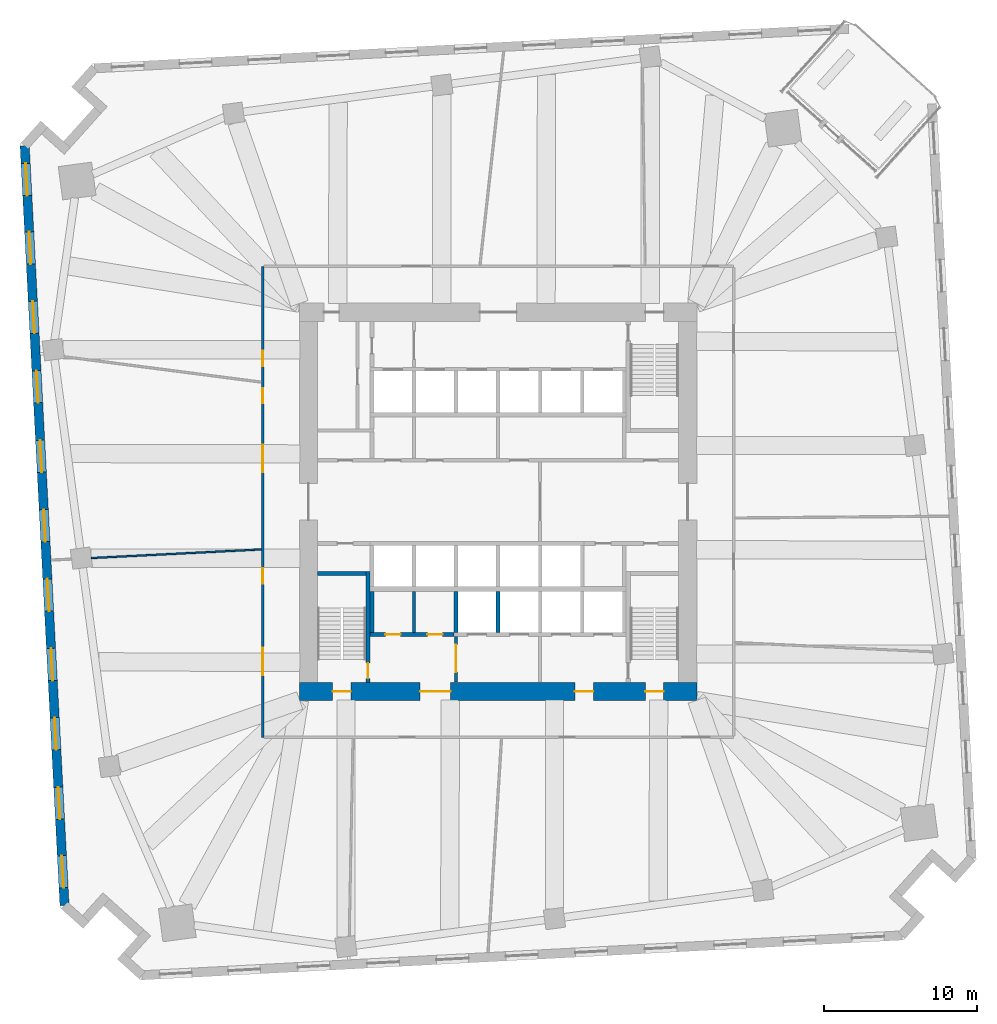
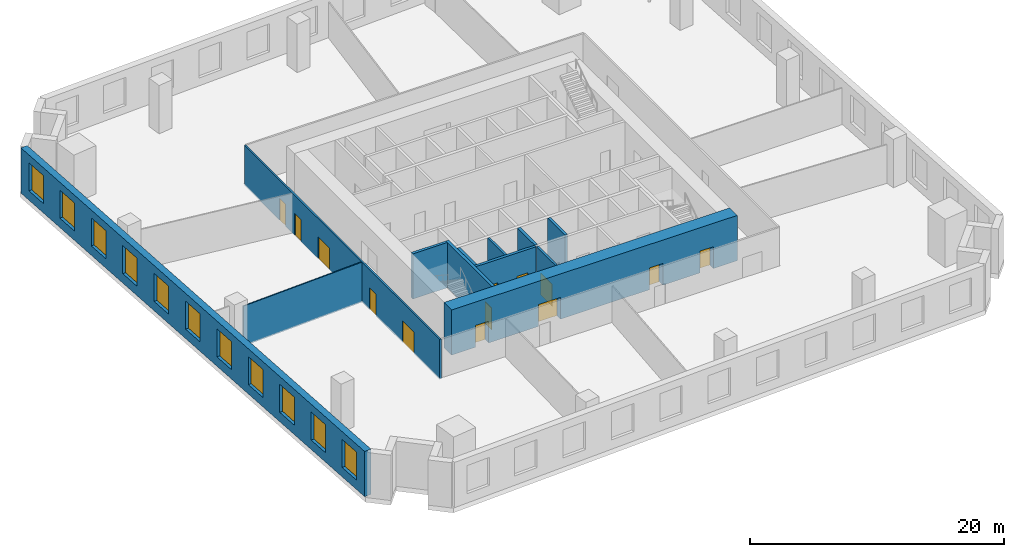
# One storey, part 4 of 10: 13 doors, 12 walls, 11 windows, 24 openings.
"""IFC4 building model written with IfcOpenShell, lengths in metres."""

import ifcopenshell
import ifcopenshell.guid

model = None  # the IFC model being written
_history = None  # IfcOwnerHistory: only IFC2X3 demands one
_inside = {}  # id of a spatial element -> (the spatial element, [elements in it])
_under = {}  # id of a project, library or spatial element -> (it, [spatial elements below it])
_declared = {}  # id of a project -> (the project, [libraries it declares])
_typed = {}  # id of a type object -> (the type object, [elements of that type])
_made_of = {}  # id of a material, layer set ... -> (it, [elements and type objects made of it])


def new_model(schema):
    """Start an empty IFC model of exactly this schema.

    Asked for "IFC4X3", IfcOpenShell would pick the latest addendum, in which some entities
    have other attributes; the version numbers below select the first issue.
    IFC2X3 requires an IfcOwnerHistory on every rooted entity: one is made here for all.
    """
    global model, _history
    if schema == "IFC4X3":
        model = ifcopenshell.file(schema_version=(4, 3, 0, 0))
    else:
        model = ifcopenshell.file(schema=schema)
    _inside.clear()
    _under.clear()
    _declared.clear()
    _typed.clear()
    _made_of.clear()
    _history = None
    if model.schema == "IFC2X3":
        org = make("IfcOrganization", Name="unknown")
        user = make(
            "IfcPersonAndOrganization",
            ThePerson=make("IfcPerson", FamilyName="unknown"),
            TheOrganization=org,
        )
        app = make(
            "IfcApplication",
            ApplicationDeveloper=org,
            Version="unknown",
            ApplicationFullName="unknown",
            ApplicationIdentifier="unknown",
        )
        _history = make(
            "IfcOwnerHistory",
            OwningUser=user,
            OwningApplication=app,
            ChangeAction="ADDED",
            CreationDate=0,
        )
    return model


def make(cls, **values):
    """One entity of the class cls with the attributes given. An attribute that is None is left unset."""
    return model.create_entity(
        cls, **{name: value for name, value in values.items() if value is not None}
    )


def rooted(cls, **values):
    """An entity with a GlobalId (a new one), such as an element, a storey or a relation."""
    return make(cls, GlobalId=ifcopenshell.guid.new(), OwnerHistory=_history, **values)


def si_unit(unit_type, name, prefix=None):
    """IfcSIUnit, for example si_unit("LENGTHUNIT", "METRE", prefix="MILLI")."""
    return make("IfcSIUnit", UnitType=unit_type, Prefix=prefix, Name=name)


def assignment(units):
    """IfcUnitAssignment: the units of a project."""
    return None if units is None else make("IfcUnitAssignment", Units=units)


def point(xyz):
    """IfcCartesianPoint."""
    return None if xyz is None else make("IfcCartesianPoint", Coordinates=xyz)


def direction(xyz):
    """IfcDirection."""
    return None if xyz is None else make("IfcDirection", DirectionRatios=xyz)


def frame(location, z_axis=None, x_axis=None):
    """IfcAxis2Placement3D, a coordinate frame: its origin and axes. An axis left out is left unset."""
    return make(
        "IfcAxis2Placement3D",
        Location=point(location),
        Axis=direction(z_axis),
        RefDirection=direction(x_axis),
    )


def frame_2d(location, x_axis=None):
    """IfcAxis2Placement2D, a coordinate frame in the plane: its origin and x axis."""
    return make(
        "IfcAxis2Placement2D", Location=point(location), RefDirection=direction(x_axis)
    )


def origin():
    """The frame at (0, 0, 0) with its axes left unset."""
    return frame((0.0, 0.0, 0.0))


def place(relative_to, where):
    """IfcLocalPlacement: puts the frame where relative to a parent placement (None: the world)."""
    return make(
        "IfcLocalPlacement", PlacementRelTo=relative_to, RelativePlacement=where
    )


def context(
    kind, dimensions, precision=None, world=None, true_north=None, identifier=None
):
    """IfcGeometricRepresentationContext, for example the 3D "Model" context."""
    return make(
        "IfcGeometricRepresentationContext",
        ContextIdentifier=identifier,
        ContextType=kind,
        CoordinateSpaceDimension=dimensions,
        Precision=precision,
        WorldCoordinateSystem=world,
        TrueNorth=true_north,
    )


def subcontext(parent, identifier, kind, view, scale=None):
    """IfcGeometricRepresentationSubContext, for example "Body" below "Model"."""
    return make(
        "IfcGeometricRepresentationSubContext",
        ContextIdentifier=identifier,
        ContextType=kind,
        ParentContext=parent,
        TargetScale=scale,
        TargetView=view,
    )


def project(units=None, contexts=None):
    """IfcProject with its units and contexts."""
    return rooted(
        "IfcProject",
        Name="project",
        RepresentationContexts=contexts,
        UnitsInContext=assignment(units),
    )


def spatial(cls, under=None, at=None, **own):
    """A site, building, storey or space (cls), placed at a placement, below another one or the project."""
    s = rooted(cls, ObjectPlacement=at, **own)
    if under is not None:
        _under.setdefault(under.id(), (under, []))[1].append(s)
    return s


def profile(cls, at=None, kind="AREA", **sizes):
    """A parametric profile (cls). Its sizes go by their IFC names, for example OverallWidth=200.0."""
    return make(cls, ProfileType=kind, Position=at, **sizes)


def rectangle(**sizes):
    """IfcRectangleProfileDef."""
    return profile("IfcRectangleProfileDef", **sizes)


def extrude(swept, where, along, depth):
    """IfcExtrudedAreaSolid: the profile swept, set in the frame where, extruded along a direction by depth."""
    return make(
        "IfcExtrudedAreaSolid",
        SweptArea=swept,
        Position=where,
        ExtrudedDirection=direction(along),
        Depth=depth,
    )


def shape(context_of_items, identifier, shape_type, items):
    """IfcShapeRepresentation: the items that make up one representation, for example the "Body"."""
    return make(
        "IfcShapeRepresentation",
        ContextOfItems=context_of_items,
        RepresentationIdentifier=identifier,
        RepresentationType=shape_type,
        Items=items,
    )


def material(Name=None, Category=None):
    """IfcMaterial."""
    return make("IfcMaterial", Name=Name, Category=Category)


def layer(
    of_material, thickness, ventilated=None, Name=None, Category=None, Priority=None
):
    """IfcMaterialLayer: one layer of a wall or slab, of a material (None: an air gap)."""
    return make(
        "IfcMaterialLayer",
        Material=of_material,
        LayerThickness=thickness,
        IsVentilated=ventilated,
        Name=Name,
        Category=Category,
        Priority=Priority,
    )


def layer_set(layers, Name=None):
    """IfcMaterialLayerSet."""
    return make("IfcMaterialLayerSet", MaterialLayers=layers, LayerSetName=Name)


def made_of(thing, what):
    """Note that an element or type object is made of a material, layer set ...; save() writes the relation."""
    if what is not None:
        _made_of.setdefault(what.id(), (what, []))[1].append(thing)
    return thing


def type_object(cls, material=None, **own):
    """A type object (cls), such as IfcWallType, which elements share."""
    return made_of(rooted(cls, **own), material)


def element(
    cls,
    number,
    at=None,
    inside=None,
    cuts=None,
    type_object=None,
    material=None,
    context=None,
    identifier="Body",
    shape_type=None,
    held_by="IfcProductDefinitionShape",
    body=None,
    shapes=None,
    **own,
):
    """One element of the class cls, such as IfcWall. Its Tag is "e" and its number.

    at: its placement. inside: the storey or other place that contains it. cuts: it is an
    opening in that element (IfcRelVoidsElement). A single representation is given by context,
    identifier, shape_type and body (its items); several are given by shapes. held_by: the class
    of the entity that holds the representations. save() writes the other relations.
    """
    e = rooted(cls, Tag="e%d" % number, ObjectPlacement=at, **own)
    if body is not None:
        shapes = [shape(context, identifier, shape_type, body)]
    if shapes is not None:
        e.Representation = make(held_by, Representations=shapes)
    if inside is not None:
        _inside.setdefault(inside.id(), (inside, []))[1].append(e)
    if cuts is not None:
        rooted(
            "IfcRelVoidsElement", RelatingBuildingElement=cuts, RelatedOpeningElement=e
        )
    if type_object is not None:
        _typed.setdefault(type_object.id(), (type_object, []))[1].append(e)
    return made_of(e, material)


def fill(opening, filler):
    """IfcRelFillsElement: the door or window that sits in an opening."""
    return rooted(
        "IfcRelFillsElement",
        RelatingOpeningElement=opening,
        RelatedBuildingElement=filler,
    )


def aggregate(whole, parts):
    """IfcRelAggregates: a whole, such as a stair, and the parts it consists of."""
    return rooted("IfcRelAggregates", RelatingObject=whole, RelatedObjects=parts)


def save(model, path):
    """Write the relations noted so far, then the file.

    IfcRelAggregates (storeys below a building ...), IfcRelContainedInSpatialStructure (elements
    in a storey), IfcRelDefinesByType, IfcRelAssociatesMaterial and IfcRelDeclares: one each for
    every whole, place, type object, material and project.
    """
    for whole, parts in _under.values():
        aggregate(whole, parts)
    for where, things in _inside.values():
        rooted(
            "IfcRelContainedInSpatialStructure",
            RelatedElements=things,
            RelatingStructure=where,
        )
    for kind, things in _typed.values():
        rooted("IfcRelDefinesByType", RelatedObjects=things, RelatingType=kind)
    for what, things in _made_of.values():
        rooted("IfcRelAssociatesMaterial", RelatedObjects=things, RelatingMaterial=what)
    for by, libraries in _declared.values():
        rooted("IfcRelDeclares", RelatingContext=by, RelatedDefinitions=libraries)
    model.write(path)


model = new_model("IFC4")

# Units and contexts
model_context = context("Model", 3, precision=1e-05, world=origin(), true_north=direction((0.0, 1.0)))
body_context = subcontext(model_context, "Body", "Model", "MODEL_VIEW")
ifc_project = project(units=[si_unit("LENGTHUNIT", "METRE"), si_unit("AREAUNIT", "SQUARE_METRE"), si_unit("VOLUMEUNIT", "CUBIC_METRE"), si_unit("PLANEANGLEUNIT", "RADIAN"), si_unit("MASSUNIT", "GRAM", prefix="KILO")], contexts=[model_context])

# Site, building, storey
site_placement = place(None, origin())
site = spatial("IfcSite", under=ifc_project, at=site_placement, CompositionType="ELEMENT")
building_placement = place(site_placement, origin())
building = spatial("IfcBuilding", under=site, at=building_placement, Name="Dilmun Exchange Tower", CompositionType="ELEMENT")
storey_placement = place(building_placement, frame((0.0, 0.0, 27.300048828125)))
storey = spatial("IfcBuildingStorey", under=building, at=storey_placement, Name="L06", CompositionType="ELEMENT", Elevation=27.300048828125)

# Wall, opening, door
ifc_material_1 = material(Name="Concrete C40/50", Category="concrete")
ifc_layer_1 = layer(ifc_material_1, 0.199951171875)
ifc_layer_set_1 = layer_set([ifc_layer_1], Name="Concrete C40/50")
wall_type_1 = type_object("IfcWallType", Name="Core partition wall 200", PredefinedType="PARTITIONING", material=ifc_layer_set_1)
wall_1_placement = place(storey_placement, frame((-2.75, -11.794921875, 0.0), z_axis=(0.0, 0.0, 1.0), x_axis=(0.0, 1.0, 0.0)))
wall_1 = element("IfcWall", 1, at=wall_1_placement, inside=storey, type_object=wall_type_1, Name="L06 core partition wall 01", PredefinedType="PARTITIONING", context=body_context, shape_type="SweptSolid", body=[
    extrude(rectangle(XDim=2.989990234375, YDim=0.199951171875, at=frame_2d((1.4951171875, 0.0))), origin(), (0.0, 0.0, 1.0), 4.349853515625),
])
opening_1_placement = place(wall_1_placement, frame((0.657470703125, 0.0, 0.0)))
opening_1 = element("IfcOpeningElement", 2, at=opening_1_placement, cuts=wall_1, Name="Opening CD5", PredefinedType="OPENING", context=body_context, shape_type="SweptSolid", body=[
    extrude(rectangle(XDim=1.800048828125, YDim=2.10009765625, at=frame_2d((0.89990234375, 1.050048828125))), frame((0.0, 0.10986328125, 0.0), z_axis=(0.0, -1.0, 0.0), x_axis=(1.0, 0.0, 0.0)), (0.0, 0.0, 1.0), 0.219970703125),
])
ifc_material_2 = material(Name="Fire-rated steel door set", Category="steel")
door_type_1 = type_object("IfcDoorType", Name="Stair exit door 1800x2100", OperationType="SINGLE_SWING_LEFT", PredefinedType="DOOR", material=ifc_material_2)
door_1_placement = place(opening_1_placement, origin())
door_1 = element("IfcDoor", 3, at=door_1_placement, inside=storey, type_object=door_type_1, Name="L06 door Service lobby east", OperationType="SINGLE_SWING_LEFT", OverallHeight=2.10009765625, OverallWidth=1.800048828125, PredefinedType="DOOR", context=body_context, shape_type="SweptSolid", body=[
    extrude(rectangle(XDim=1.800048828125, YDim=2.10009765625, at=frame_2d((0.89990234375, 1.050048828125))), frame((0.0, 0.02490234375, 0.0), z_axis=(0.0, -1.0, 0.0), x_axis=(1.0, 0.0, 0.0)), (0.0, 0.0, 1.0), 0.050048828125),
])
fill(opening_1, door_1)

# Wall
wall_2_placement = place(storey_placement, frame((-5.5, -8.544921875, 0.0), z_axis=(0.0, 0.0, 1.0), x_axis=(0.0, 1.0, 0.0)))
element("IfcWall", 4, at=wall_2_placement, inside=storey, type_object=wall_type_1, Name="L06 core partition wall 05", PredefinedType="PARTITIONING", context=body_context, shape_type="SweptSolid", body=[
    extrude(rectangle(XDim=2.68994140625, YDim=0.199951171875, at=frame_2d((1.344970703125, 0.0))), origin(), (0.0, 0.0, 1.0), 4.349853515625),
])

# Wall, openings, doors
ifc_layer_2 = layer(ifc_material_1, 0.25)
ifc_layer_set_2 = layer_set([ifc_layer_2], Name="Concrete C40/50")
wall_type_2 = type_object("IfcWallType", Name="Core partition wall 250", PredefinedType="PARTITIONING", material=ifc_layer_set_2)
wall_3_placement = place(storey_placement, frame((-8.3701171875, -8.675048828125, 0.0), z_axis=(0.0, 0.0, 1.0), x_axis=(1.0, 0.0, 0.0)))
wall_3 = element("IfcWall", 5, at=wall_3_placement, inside=storey, type_object=wall_type_2, Name="L06 core partition wall 03", PredefinedType="PARTITIONING", context=body_context, shape_type="SweptSolid", body=[
    extrude(rectangle(XDim=5.490234375, YDim=0.25, at=frame_2d((2.7451171875, 0.0))), origin(), (0.0, 0.0, 1.0), 4.349853515625),
])
opening_2_placement = place(wall_3_placement, frame((0.9951171875, 0.0, 0.0)))
opening_2 = element("IfcOpeningElement", 6, at=opening_2_placement, cuts=wall_3, Name="Opening CD4", PredefinedType="OPENING", context=body_context, shape_type="SweptSolid", body=[
    extrude(rectangle(XDim=1.0, YDim=2.10009765625, at=frame_2d((0.5, 1.050048828125))), frame((0.0, 0.135009765625, 0.0), z_axis=(0.0, -1.0, 0.0), x_axis=(1.0, 0.0, 0.0)), (0.0, 0.0, 1.0), 0.27001953125),
])
opening_3_placement = place(wall_3_placement, frame((3.7451171875, 0.0, 0.0)))
opening_3 = element("IfcOpeningElement", 7, at=opening_3_placement, cuts=wall_3, Name="Opening CD4", PredefinedType="OPENING", context=body_context, shape_type="SweptSolid", body=[
    extrude(rectangle(XDim=1.0, YDim=2.10009765625, at=frame_2d((0.5, 1.050048828125))), frame((0.0, 0.135009765625, 0.0), z_axis=(0.0, -1.0, 0.0), x_axis=(1.0, 0.0, 0.0)), (0.0, 0.0, 1.0), 0.27001953125),
])
door_type_2 = type_object("IfcDoorType", Name="Core room door 1000x2100", OperationType="SINGLE_SWING_LEFT", PredefinedType="DOOR", material=ifc_material_2)
door_2_placement = place(opening_2_placement, origin())
door_2 = element("IfcDoor", 8, at=door_2_placement, inside=storey, type_object=door_type_2, Name="L06 door Male WC", OperationType="SINGLE_SWING_LEFT", OverallHeight=2.10009765625, OverallWidth=1.0, PredefinedType="DOOR", context=body_context, shape_type="SweptSolid", body=[
    extrude(rectangle(XDim=1.0, YDim=2.10009765625, at=frame_2d((0.5, 1.050048828125))), frame((0.0, 0.02490234375, 0.0), z_axis=(0.0, -1.0, 0.0), x_axis=(1.0, 0.0, 0.0)), (0.0, 0.0, 1.0), 0.050048828125),
])
fill(opening_2, door_2)
door_3_placement = place(opening_3_placement, origin())
door_3 = element("IfcDoor", 9, at=door_3_placement, inside=storey, type_object=door_type_2, Name="L06 door Female WC", OperationType="SINGLE_SWING_LEFT", OverallHeight=2.10009765625, OverallWidth=1.0, PredefinedType="DOOR", context=body_context, shape_type="SweptSolid", body=[
    extrude(rectangle(XDim=1.0, YDim=2.10009765625, at=frame_2d((0.5, 1.050048828125))), frame((0.0, 0.02490234375, 0.0), z_axis=(0.0, -1.0, 0.0), x_axis=(1.0, 0.0, 0.0)), (0.0, 0.0, 1.0), 0.050048828125),
])
fill(opening_3, door_3)

# Wall
wall_4_placement = place(storey_placement, frame((-8.25, -8.544921875, 0.0), z_axis=(0.0, 0.0, 1.0), x_axis=(0.0, 1.0, 0.0)))
element("IfcWall", 10, at=wall_4_placement, inside=storey, type_object=wall_type_2, Name="L06 core partition wall 04", PredefinedType="PARTITIONING", context=body_context, shape_type="SweptSolid", body=[
    extrude(rectangle(XDim=2.68994140625, YDim=0.25, at=frame_2d((1.344970703125, 0.0))), origin(), (0.0, 0.0, 1.0), 4.349853515625),
])

# Wall, openings, doors
ifc_material_3 = material(Name="Concrete C80/95", Category="concrete")
ifc_layer_3 = layer(ifc_material_3, 1.199951171875)
ifc_layer_set_3 = layer_set([ifc_layer_3], Name="Concrete C80/95")
wall_type_3 = type_object("IfcWallType", Name="Core shear wall 1200 Concrete C80/95", PredefinedType="SHEAR", material=ifc_layer_set_3)
wall_5_placement = place(storey_placement, frame((-13.0, -12.39990234375, 0.0), z_axis=(0.0, 0.0, 1.0), x_axis=(1.0, 0.0, 0.0)))
wall_5 = element("IfcWall", 11, at=wall_5_placement, inside=storey, type_object=wall_type_3, Name="L06 core shear wall S", PredefinedType="SHEAR", context=body_context, shape_type="SweptSolid", body=[
    extrude(rectangle(XDim=26.0, YDim=1.199951171875, at=frame_2d((13.0, 0.0))), origin(), (0.0, 0.0, 1.0), 4.349853515625),
])
opening_4_placement = place(wall_5_placement, frame((7.89990234375, 0.0, 0.0)))
opening_4 = element("IfcOpeningElement", 12, at=opening_4_placement, cuts=wall_5, Name="Opening CD2", PredefinedType="OPENING", context=body_context, shape_type="SweptSolid", body=[
    extrude(rectangle(XDim=2.0, YDim=2.10009765625, at=frame_2d((1.0, 1.050048828125))), frame((0.0, 0.60986328125, 0.0), z_axis=(0.0, -1.0, 0.0), x_axis=(1.0, 0.0, 0.0)), (0.0, 0.0, 1.0), 1.219970703125),
])
opening_5_placement = place(wall_5_placement, frame((18.02490234375, 0.0, 0.0)))
opening_5 = element("IfcOpeningElement", 13, at=opening_5_placement, cuts=wall_5, Name="Opening CD3", PredefinedType="OPENING", context=body_context, shape_type="SweptSolid", body=[
    extrude(rectangle(XDim=1.199951171875, YDim=2.10009765625, at=frame_2d((0.60009765625, 1.050048828125))), frame((0.0, 0.60986328125, 0.0), z_axis=(0.0, -1.0, 0.0), x_axis=(1.0, 0.0, 0.0)), (0.0, 0.0, 1.0), 1.219970703125),
])
opening_6_placement = place(wall_5_placement, frame((2.175048828125, 0.0, 0.0)))
opening_6 = element("IfcOpeningElement", 14, at=opening_6_placement, cuts=wall_5, Name="Opening CD3", PredefinedType="OPENING", context=body_context, shape_type="SweptSolid", body=[
    extrude(rectangle(XDim=1.199951171875, YDim=2.10009765625, at=frame_2d((0.60009765625, 1.050048828125))), frame((0.0, 0.60986328125, 0.0), z_axis=(0.0, -1.0, 0.0), x_axis=(1.0, 0.0, 0.0)), (0.0, 0.0, 1.0), 1.219970703125),
])
opening_7_placement = place(wall_5_placement, frame((22.625, 0.0, 0.0)))
opening_7 = element("IfcOpeningElement", 15, at=opening_7_placement, cuts=wall_5, Name="Opening CD3", PredefinedType="OPENING", context=body_context, shape_type="SweptSolid", body=[
    extrude(rectangle(XDim=1.199951171875, YDim=2.10009765625, at=frame_2d((0.60009765625, 1.050048828125))), frame((0.0, 0.60986328125, 0.0), z_axis=(0.0, -1.0, 0.0), x_axis=(1.0, 0.0, 0.0)), (0.0, 0.0, 1.0), 1.219970703125),
])
door_type_3 = type_object("IfcDoorType", Name="Core service door 2000x2100", OperationType="DOUBLE_DOOR_DOUBLE_SWING", PredefinedType="DOOR", material=ifc_material_2)
door_4_placement = place(opening_4_placement, origin())
door_4 = element("IfcDoor", 16, at=door_4_placement, inside=storey, type_object=door_type_3, Name="L06 door South service lobby", OperationType="SINGLE_SWING_LEFT", OverallHeight=2.10009765625, OverallWidth=2.0, PredefinedType="DOOR", context=body_context, shape_type="SweptSolid", body=[
    extrude(rectangle(XDim=2.0, YDim=2.10009765625, at=frame_2d((1.0, 1.050048828125))), frame((0.0, 0.02490234375, 0.0), z_axis=(0.0, -1.0, 0.0), x_axis=(1.0, 0.0, 0.0)), (0.0, 0.0, 1.0), 0.050048828125),
])
fill(opening_4, door_4)
door_type_4 = type_object("IfcDoorType", Name="Stair exit door 1200x2100", OperationType="SINGLE_SWING_LEFT", PredefinedType="DOOR", material=ifc_material_2)
door_5_placement = place(opening_5_placement, origin())
door_5 = element("IfcDoor", 17, at=door_5_placement, inside=storey, type_object=door_type_4, Name="L06 door Fire-fighting lobby", OperationType="SINGLE_SWING_LEFT", OverallHeight=2.10009765625, OverallWidth=1.199951171875, PredefinedType="DOOR", context=body_context, shape_type="SweptSolid", body=[
    extrude(rectangle(XDim=1.199951171875, YDim=2.10009765625, at=frame_2d((0.60009765625, 1.050048828125))), frame((0.0, 0.02490234375, 0.0), z_axis=(0.0, -1.0, 0.0), x_axis=(1.0, 0.0, 0.0)), (0.0, 0.0, 1.0), 0.050048828125),
])
fill(opening_5, door_5)
door_6_placement = place(opening_6_placement, origin())
door_6 = element("IfcDoor", 18, at=door_6_placement, inside=storey, type_object=door_type_4, Name="L06 door Stair ST2", OperationType="SINGLE_SWING_LEFT", OverallHeight=2.10009765625, OverallWidth=1.199951171875, PredefinedType="DOOR", context=body_context, shape_type="SweptSolid", body=[
    extrude(rectangle(XDim=1.199951171875, YDim=2.10009765625, at=frame_2d((0.60009765625, 1.050048828125))), frame((0.0, 0.02490234375, 0.0), z_axis=(0.0, -1.0, 0.0), x_axis=(1.0, 0.0, 0.0)), (0.0, 0.0, 1.0), 0.050048828125),
])
fill(opening_6, door_6)
door_7_placement = place(opening_7_placement, origin())
door_7 = element("IfcDoor", 19, at=door_7_placement, inside=storey, type_object=door_type_4, Name="L06 door Stair ST3", OperationType="SINGLE_SWING_LEFT", OverallHeight=2.10009765625, OverallWidth=1.199951171875, PredefinedType="DOOR", context=body_context, shape_type="SweptSolid", body=[
    extrude(rectangle(XDim=1.199951171875, YDim=2.10009765625, at=frame_2d((0.60009765625, 1.050048828125))), frame((0.0, 0.02490234375, 0.0), z_axis=(0.0, -1.0, 0.0), x_axis=(1.0, 0.0, 0.0)), (0.0, 0.0, 1.0), 0.050048828125),
])
fill(opening_7, door_7)

ifc_material_4 = material(Name="Corridor wall 150")
ifc_layer_4 = layer(ifc_material_4, 0.14990234375)
ifc_layer_set_4 = layer_set([ifc_layer_4], Name="Corridor wall 150")
wall_type_4 = type_object("IfcWallType", Name="Corridor wall 150", PredefinedType="PARTITIONING", material=ifc_layer_set_4)
wall_6_placement = place(storey_placement, frame((-15.39990234375, -15.39990234375, 0.0), z_axis=(0.0, 0.0, 1.0), x_axis=(0.0, 1.0, 0.0)))
wall_6 = element("IfcWall", 20, at=wall_6_placement, inside=storey, type_object=wall_type_4, Name="Corridor wall", PredefinedType="PARTITIONING", context=body_context, shape_type="SweptSolid", body=[
    extrude(rectangle(XDim=30.7998046875, YDim=0.14990234375, at=frame_2d((15.39990234375, 0.0))), origin(), (0.0, 0.0, 1.0), 3.849853515625),
])
opening_8_placement = place(wall_6_placement, frame((17.34228515625, 0.0, 0.0)))
opening_8 = element("IfcOpeningElement", 21, at=opening_8_placement, cuts=wall_6, Name="Opening TF05-D01", PredefinedType="OPENING", context=body_context, shape_type="SweptSolid", body=[
    extrude(rectangle(XDim=1.800048828125, YDim=2.10009765625, at=frame_2d((0.89990234375, 1.050048828125))), frame((0.0, 0.0849609375, 0.0), z_axis=(0.0, -1.0, 0.0), x_axis=(1.0, 0.0, 0.0)), (0.0, 0.0, 1.0), 0.169921875),
])
opening_9_placement = place(wall_6_placement, frame((21.84228515625, 0.0, 0.0)))
opening_9 = element("IfcOpeningElement", 22, at=opening_9_placement, cuts=wall_6, Name="Opening TF05-D02", PredefinedType="OPENING", context=body_context, shape_type="SweptSolid", body=[
    extrude(rectangle(XDim=1.0, YDim=2.10009765625, at=frame_2d((0.5, 1.050048828125))), frame((0.0, 0.0849609375, 0.0), z_axis=(0.0, -1.0, 0.0), x_axis=(1.0, 0.0, 0.0)), (0.0, 0.0, 1.0), 0.169921875),
])
opening_10_placement = place(wall_6_placement, frame((4.050048828125, 0.0, 0.0)))
opening_10 = element("IfcOpeningElement", 23, at=opening_10_placement, cuts=wall_6, Name="Opening TF05-D03", PredefinedType="OPENING", context=body_context, shape_type="SweptSolid", body=[
    extrude(rectangle(XDim=1.800048828125, YDim=2.10009765625, at=frame_2d((0.89990234375, 1.050048828125))), frame((0.0, 0.0849609375, 0.0), z_axis=(0.0, -1.0, 0.0), x_axis=(1.0, 0.0, 0.0)), (0.0, 0.0, 1.0), 0.169921875),
])
opening_11_placement = place(wall_6_placement, frame((10.050048828125, 0.0, 0.0)))
opening_11 = element("IfcOpeningElement", 24, at=opening_11_placement, cuts=wall_6, Name="Opening TF05-D04", PredefinedType="OPENING", context=body_context, shape_type="SweptSolid", body=[
    extrude(rectangle(XDim=1.0, YDim=2.10009765625, at=frame_2d((0.5, 1.050048828125))), frame((0.0, 0.0849609375, 0.0), z_axis=(0.0, -1.0, 0.0), x_axis=(1.0, 0.0, 0.0)), (0.0, 0.0, 1.0), 0.169921875),
])
opening_12_placement = place(wall_6_placement, frame((24.265869140625, 0.0, 0.0)))
opening_12 = element("IfcOpeningElement", 25, at=opening_12_placement, cuts=wall_6, Name="Opening TF05-D06", PredefinedType="OPENING", context=body_context, shape_type="SweptSolid", body=[
    extrude(rectangle(XDim=1.0, YDim=2.10009765625, at=frame_2d((0.5, 1.050048828125))), frame((0.0, 0.0849609375, 0.0), z_axis=(0.0, -1.0, 0.0), x_axis=(1.0, 0.0, 0.0)), (0.0, 0.0, 1.0), 0.169921875),
])
ifc_material_5 = material(Name="Fire door 1000 x 2100")
door_type_5 = type_object("IfcDoorType", Name="Fire door 1000 x 2100", OperationType="NOTDEFINED", PredefinedType="DOOR", material=ifc_material_5)
door_8_placement = place(opening_9_placement, origin())
door_8 = element("IfcDoor", 26, at=door_8_placement, inside=storey, type_object=door_type_5, Name="Door TF05-D02", OperationType="SINGLE_SWING_RIGHT", OverallHeight=2.10009765625, OverallWidth=1.0, PredefinedType="DOOR", context=body_context, shape_type="SweptSolid", body=[
    extrude(rectangle(XDim=1.0, YDim=2.10009765625, at=frame_2d((0.5, 1.050048828125))), frame((0.0, 0.02490234375, 0.0), z_axis=(0.0, -1.0, 0.0), x_axis=(1.0, 0.0, 0.0)), (0.0, 0.0, 1.0), 0.050048828125),
])
fill(opening_9, door_8)
door_9_placement = place(opening_11_placement, origin())
door_9 = element("IfcDoor", 27, at=door_9_placement, inside=storey, type_object=door_type_5, Name="Door TF05-D04", OperationType="SINGLE_SWING_RIGHT", OverallHeight=2.10009765625, OverallWidth=1.0, PredefinedType="DOOR", context=body_context, shape_type="SweptSolid", body=[
    extrude(rectangle(XDim=1.0, YDim=2.10009765625, at=frame_2d((0.5, 1.050048828125))), frame((0.0, 0.02490234375, 0.0), z_axis=(0.0, -1.0, 0.0), x_axis=(1.0, 0.0, 0.0)), (0.0, 0.0, 1.0), 0.050048828125),
])
fill(opening_11, door_9)
door_10_placement = place(opening_12_placement, origin())
door_10 = element("IfcDoor", 28, at=door_10_placement, inside=storey, type_object=door_type_5, Name="Door TF05-D06", OperationType="SINGLE_SWING_LEFT", OverallHeight=2.10009765625, OverallWidth=1.0, PredefinedType="DOOR", context=body_context, shape_type="SweptSolid", body=[
    extrude(rectangle(XDim=1.0, YDim=2.10009765625, at=frame_2d((0.5, 1.050048828125))), frame((0.0, 0.02490234375, 0.0), z_axis=(0.0, -1.0, 0.0), x_axis=(1.0, 0.0, 0.0)), (0.0, 0.0, 1.0), 0.050048828125),
])
fill(opening_12, door_10)
ifc_material_6 = material(Name="Fire door pair 1800 x 2100")
door_type_6 = type_object("IfcDoorType", Name="Fire door pair 1800 x 2100", OperationType="NOTDEFINED", PredefinedType="DOOR", material=ifc_material_6)
door_11_placement = place(opening_8_placement, origin())
door_11 = element("IfcDoor", 29, at=door_11_placement, inside=storey, type_object=door_type_6, Name="Door TF05-D01", OperationType="DOUBLE_DOOR_SINGLE_SWING", OverallHeight=2.10009765625, OverallWidth=1.800048828125, PredefinedType="DOOR", context=body_context, shape_type="SweptSolid", body=[
    extrude(rectangle(XDim=1.800048828125, YDim=2.10009765625, at=frame_2d((0.89990234375, 1.050048828125))), frame((0.0, 0.02490234375, 0.0), z_axis=(0.0, -1.0, 0.0), x_axis=(1.0, 0.0, 0.0)), (0.0, 0.0, 1.0), 0.050048828125),
])
fill(opening_8, door_11)
door_12_placement = place(opening_10_placement, origin())
door_12 = element("IfcDoor", 30, at=door_12_placement, inside=storey, type_object=door_type_6, Name="Door TF05-D03", OperationType="DOUBLE_DOOR_SINGLE_SWING", OverallHeight=2.10009765625, OverallWidth=1.800048828125, PredefinedType="DOOR", context=body_context, shape_type="SweptSolid", body=[
    extrude(rectangle(XDim=1.800048828125, YDim=2.10009765625, at=frame_2d((0.89990234375, 1.050048828125))), frame((0.0, 0.02490234375, 0.0), z_axis=(0.0, -1.0, 0.0), x_axis=(1.0, 0.0, 0.0)), (0.0, 0.0, 1.0), 0.050048828125),
])
fill(opening_10, door_12)

# Walls
ifc_layer_5 = layer(ifc_material_1, 0.25)
ifc_layer_set_5 = layer_set([ifc_layer_5], Name="Concrete C40/50")
wall_type_5 = type_object("IfcWallType", Name="Lift shaft wall 250", PredefinedType="SOLIDWALL", material=ifc_layer_set_5)
for number, where, z_axis, x_axis, name in (
    (31, (-2.75, -8.550048828125, 0.0), (0.0, 0.0, 1.0), (0.0, 1.0, 0.0), "L06 lift shaft divider S22"),
    (32, (0.0, -8.550048828125, 0.0), (0.0, 0.0, 1.0), (0.0, 1.0, 0.0), "L06 lift shaft divider S23"),
):
    element("IfcWall", number, at=place(storey_placement, frame(where, z_axis=z_axis, x_axis=x_axis)), inside=storey, type_object=wall_type_5, Name=name, PredefinedType="SOLIDWALL", context=body_context, shape_type="SweptSolid", body=[
        extrude(rectangle(XDim=2.699951171875, YDim=0.25, at=frame_2d((1.35009765625, 0.0))), origin(), (0.0, 0.0, 1.0), 4.349853515625),
    ])
ifc_material_7 = material(Name="Partition 100")
ifc_layer_6 = layer(ifc_material_7, 0.10009765625)
ifc_layer_set_6 = layer_set([ifc_layer_6], Name="Partition 100")
wall_type_6 = type_object("IfcWallType", Name="Partition 100", PredefinedType="PARTITIONING", material=ifc_layer_set_6)
wall_7_placement = place(storey_placement, frame((-26.597900390625, -3.67529296875, 0.0), z_axis=(0.0, 0.0, 1.0), x_axis=(0.998709825914, 0.050780740671, 0.0)))
element("IfcWall", 33, at=wall_7_placement, inside=storey, type_object=wall_type_6, Name="Partition", PredefinedType="PARTITIONING", context=body_context, shape_type="SweptSolid", body=[
    extrude(rectangle(XDim=11.134765625, YDim=0.10009765625, at=frame_2d((5.5673828125, 0.0))), origin(), (0.0, 0.0, 1.0), 3.849853515625),
])

# Wall, openings, windows
ifc_material_8 = material(Name="Precast concrete C50/60", Category="concrete")
ifc_layer_7 = layer(ifc_material_8, 0.60009765625)
ifc_layer_set_7 = layer_set([ifc_layer_7], Name="Precast concrete C50/60")
wall_type_7 = type_object("IfcWallType", Name="Precast stone-clad wall 600", PredefinedType="STANDARD", material=ifc_layer_set_7)
wall_8_placement = place(storey_placement, frame((-30.961181640625, 23.287353515625, 0.0), z_axis=(0.0, 0.0, 1.0), x_axis=(0.052335269612, -0.998629570739, 0.0)))
wall_8 = element("IfcWall", 34, at=wall_8_placement, inside=storey, type_object=wall_type_7, Name="Facade wall L06-09", PredefinedType="STANDARD", context=body_context, shape_type="SweptSolid", body=[
    extrude(rectangle(XDim=49.75146484375, YDim=0.60009765625, at=frame_2d((24.875732421875, 0.0))), origin(), (0.0, 0.0, 1.0), 4.349853515625),
])
opening_13_placement = place(wall_8_placement, frame((1.16064453125, 0.0, 0.89990234375)))
opening_13 = element("IfcOpeningElement", 35, at=opening_13_placement, cuts=wall_8, Name="Opening W210-270", PredefinedType="OPENING", context=body_context, shape_type="SweptSolid", body=[
    extrude(rectangle(XDim=2.10009765625, YDim=2.699951171875, at=frame_2d((1.050048828125, 1.35009765625))), frame((0.0, 0.31005859375, 0.0), z_axis=(0.0, -1.0, 0.0), x_axis=(1.0, 0.0, 0.0)), (0.0, 0.0, 1.0), 0.6201171875),
])
opening_14_placement = place(wall_8_placement, frame((5.643798828125, 0.0, 0.89990234375)))
opening_14 = element("IfcOpeningElement", 36, at=opening_14_placement, cuts=wall_8, Name="Opening W210-270", PredefinedType="OPENING", context=body_context, shape_type="SweptSolid", body=[
    extrude(rectangle(XDim=2.10009765625, YDim=2.699951171875, at=frame_2d((1.050048828125, 1.35009765625))), frame((0.0, 0.31005859375, 0.0), z_axis=(0.0, -1.0, 0.0), x_axis=(1.0, 0.0, 0.0)), (0.0, 0.0, 1.0), 0.6201171875),
])
opening_15_placement = place(wall_8_placement, frame((10.189453125, 0.0, 0.89990234375)))
opening_15 = element("IfcOpeningElement", 37, at=opening_15_placement, cuts=wall_8, Name="Opening W210-270", PredefinedType="OPENING", context=body_context, shape_type="SweptSolid", body=[
    extrude(rectangle(XDim=2.10009765625, YDim=2.699951171875, at=frame_2d((1.050048828125, 1.35009765625))), frame((0.0, 0.31005859375, 0.0), z_axis=(0.0, -1.0, 0.0), x_axis=(1.0, 0.0, 0.0)), (0.0, 0.0, 1.0), 0.6201171875),
])
opening_16_placement = place(wall_8_placement, frame((14.73486328125, 0.0, 0.89990234375)))
opening_16 = element("IfcOpeningElement", 38, at=opening_16_placement, cuts=wall_8, Name="Opening W210-270", PredefinedType="OPENING", context=body_context, shape_type="SweptSolid", body=[
    extrude(rectangle(XDim=2.10009765625, YDim=2.699951171875, at=frame_2d((1.050048828125, 1.35009765625))), frame((0.0, 0.31005859375, 0.0), z_axis=(0.0, -1.0, 0.0), x_axis=(1.0, 0.0, 0.0)), (0.0, 0.0, 1.0), 0.6201171875),
])
opening_17_placement = place(wall_8_placement, frame((19.2802734375, 0.0, 0.89990234375)))
opening_17 = element("IfcOpeningElement", 39, at=opening_17_placement, cuts=wall_8, Name="Opening W210-270", PredefinedType="OPENING", context=body_context, shape_type="SweptSolid", body=[
    extrude(rectangle(XDim=2.10009765625, YDim=2.699951171875, at=frame_2d((1.050048828125, 1.35009765625))), frame((0.0, 0.31005859375, 0.0), z_axis=(0.0, -1.0, 0.0), x_axis=(1.0, 0.0, 0.0)), (0.0, 0.0, 1.0), 0.6201171875),
])
opening_18_placement = place(wall_8_placement, frame((23.82568359375, 0.0, 0.89990234375)))
opening_18 = element("IfcOpeningElement", 40, at=opening_18_placement, cuts=wall_8, Name="Opening W210-270", PredefinedType="OPENING", context=body_context, shape_type="SweptSolid", body=[
    extrude(rectangle(XDim=2.10009765625, YDim=2.699951171875, at=frame_2d((1.050048828125, 1.35009765625))), frame((0.0, 0.31005859375, 0.0), z_axis=(0.0, -1.0, 0.0), x_axis=(1.0, 0.0, 0.0)), (0.0, 0.0, 1.0), 0.6201171875),
])
opening_19_placement = place(wall_8_placement, frame((28.37109375, 0.0, 0.89990234375)))
opening_19 = element("IfcOpeningElement", 41, at=opening_19_placement, cuts=wall_8, Name="Opening W210-270", PredefinedType="OPENING", context=body_context, shape_type="SweptSolid", body=[
    extrude(rectangle(XDim=2.10009765625, YDim=2.699951171875, at=frame_2d((1.050048828125, 1.35009765625))), frame((0.0, 0.31005859375, 0.0), z_axis=(0.0, -1.0, 0.0), x_axis=(1.0, 0.0, 0.0)), (0.0, 0.0, 1.0), 0.6201171875),
])
opening_20_placement = place(wall_8_placement, frame((32.91650390625, 0.0, 0.89990234375)))
opening_20 = element("IfcOpeningElement", 42, at=opening_20_placement, cuts=wall_8, Name="Opening W210-270", PredefinedType="OPENING", context=body_context, shape_type="SweptSolid", body=[
    extrude(rectangle(XDim=2.10009765625, YDim=2.699951171875, at=frame_2d((1.050048828125, 1.35009765625))), frame((0.0, 0.31005859375, 0.0), z_axis=(0.0, -1.0, 0.0), x_axis=(1.0, 0.0, 0.0)), (0.0, 0.0, 1.0), 0.6201171875),
])
opening_21_placement = place(wall_8_placement, frame((37.462158203125, 0.0, 0.89990234375)))
opening_21 = element("IfcOpeningElement", 43, at=opening_21_placement, cuts=wall_8, Name="Opening W210-270", PredefinedType="OPENING", context=body_context, shape_type="SweptSolid", body=[
    extrude(rectangle(XDim=2.10009765625, YDim=2.699951171875, at=frame_2d((1.050048828125, 1.35009765625))), frame((0.0, 0.31005859375, 0.0), z_axis=(0.0, -1.0, 0.0), x_axis=(1.0, 0.0, 0.0)), (0.0, 0.0, 1.0), 0.6201171875),
])
opening_22_placement = place(wall_8_placement, frame((42.007568359375, 0.0, 0.89990234375)))
opening_22 = element("IfcOpeningElement", 44, at=opening_22_placement, cuts=wall_8, Name="Opening W210-270", PredefinedType="OPENING", context=body_context, shape_type="SweptSolid", body=[
    extrude(rectangle(XDim=2.10009765625, YDim=2.699951171875, at=frame_2d((1.050048828125, 1.35009765625))), frame((0.0, 0.31005859375, 0.0), z_axis=(0.0, -1.0, 0.0), x_axis=(1.0, 0.0, 0.0)), (0.0, 0.0, 1.0), 0.6201171875),
])
opening_23_placement = place(wall_8_placement, frame((46.490966796875, 0.0, 0.89990234375)))
opening_23 = element("IfcOpeningElement", 45, at=opening_23_placement, cuts=wall_8, Name="Opening W210-270", PredefinedType="OPENING", context=body_context, shape_type="SweptSolid", body=[
    extrude(rectangle(XDim=2.10009765625, YDim=2.699951171875, at=frame_2d((1.050048828125, 1.35009765625))), frame((0.0, 0.31005859375, 0.0), z_axis=(0.0, -1.0, 0.0), x_axis=(1.0, 0.0, 0.0)), (0.0, 0.0, 1.0), 0.6201171875),
])
ifc_material_9 = material(Name="Clear low-emissivity glass in aluminium frame", Category="aluminium")
window_type = type_object("IfcWindowType", Name="Punched window 2100 x 2700", PartitioningType="DOUBLE_PANEL_VERTICAL", PredefinedType="WINDOW", material=ifc_material_9)
window_1_placement = place(opening_13_placement, origin())
window_1 = element("IfcWindow", 46, at=window_1_placement, inside=storey, type_object=window_type, Name="Window 10.1", OverallHeight=2.699951171875, OverallWidth=2.10009765625, PartitioningType="SINGLE_PANEL", PredefinedType="WINDOW", context=body_context, shape_type="SweptSolid", body=[
    extrude(rectangle(XDim=2.10009765625, YDim=2.699951171875, at=frame_2d((1.050048828125, 1.35009765625))), frame((0.0, 0.030029296875, 0.0), z_axis=(0.0, -1.0, 0.0), x_axis=(1.0, 0.0, 0.0)), (0.0, 0.0, 1.0), 0.06005859375),
])
fill(opening_13, window_1)
window_2_placement = place(opening_14_placement, origin())
window_2 = element("IfcWindow", 47, at=window_2_placement, inside=storey, type_object=window_type, Name="Window 10.2", OverallHeight=2.699951171875, OverallWidth=2.10009765625, PartitioningType="SINGLE_PANEL", PredefinedType="WINDOW", context=body_context, shape_type="SweptSolid", body=[
    extrude(rectangle(XDim=2.10009765625, YDim=2.699951171875, at=frame_2d((1.050048828125, 1.35009765625))), frame((0.0, 0.030029296875, 0.0), z_axis=(0.0, -1.0, 0.0), x_axis=(1.0, 0.0, 0.0)), (0.0, 0.0, 1.0), 0.06005859375),
])
fill(opening_14, window_2)
window_3_placement = place(opening_15_placement, origin())
window_3 = element("IfcWindow", 48, at=window_3_placement, inside=storey, type_object=window_type, Name="Window 10.3", OverallHeight=2.699951171875, OverallWidth=2.10009765625, PartitioningType="SINGLE_PANEL", PredefinedType="WINDOW", context=body_context, shape_type="SweptSolid", body=[
    extrude(rectangle(XDim=2.10009765625, YDim=2.699951171875, at=frame_2d((1.050048828125, 1.35009765625))), frame((0.0, 0.030029296875, 0.0), z_axis=(0.0, -1.0, 0.0), x_axis=(1.0, 0.0, 0.0)), (0.0, 0.0, 1.0), 0.06005859375),
])
fill(opening_15, window_3)
window_4_placement = place(opening_16_placement, origin())
window_4 = element("IfcWindow", 49, at=window_4_placement, inside=storey, type_object=window_type, Name="Window 10.4", OverallHeight=2.699951171875, OverallWidth=2.10009765625, PartitioningType="SINGLE_PANEL", PredefinedType="WINDOW", context=body_context, shape_type="SweptSolid", body=[
    extrude(rectangle(XDim=2.10009765625, YDim=2.699951171875, at=frame_2d((1.050048828125, 1.35009765625))), frame((0.0, 0.030029296875, 0.0), z_axis=(0.0, -1.0, 0.0), x_axis=(1.0, 0.0, 0.0)), (0.0, 0.0, 1.0), 0.06005859375),
])
fill(opening_16, window_4)
window_5_placement = place(opening_17_placement, origin())
window_5 = element("IfcWindow", 50, at=window_5_placement, inside=storey, type_object=window_type, Name="Window 10.5", OverallHeight=2.699951171875, OverallWidth=2.10009765625, PartitioningType="SINGLE_PANEL", PredefinedType="WINDOW", context=body_context, shape_type="SweptSolid", body=[
    extrude(rectangle(XDim=2.10009765625, YDim=2.699951171875, at=frame_2d((1.050048828125, 1.35009765625))), frame((0.0, 0.030029296875, 0.0), z_axis=(0.0, -1.0, 0.0), x_axis=(1.0, 0.0, 0.0)), (0.0, 0.0, 1.0), 0.06005859375),
])
fill(opening_17, window_5)
window_6_placement = place(opening_18_placement, origin())
window_6 = element("IfcWindow", 51, at=window_6_placement, inside=storey, type_object=window_type, Name="Window 10.6", OverallHeight=2.699951171875, OverallWidth=2.10009765625, PartitioningType="SINGLE_PANEL", PredefinedType="WINDOW", context=body_context, shape_type="SweptSolid", body=[
    extrude(rectangle(XDim=2.10009765625, YDim=2.699951171875, at=frame_2d((1.050048828125, 1.35009765625))), frame((0.0, 0.030029296875, 0.0), z_axis=(0.0, -1.0, 0.0), x_axis=(1.0, 0.0, 0.0)), (0.0, 0.0, 1.0), 0.06005859375),
])
fill(opening_18, window_6)
window_7_placement = place(opening_19_placement, origin())
window_7 = element("IfcWindow", 52, at=window_7_placement, inside=storey, type_object=window_type, Name="Window 10.7", OverallHeight=2.699951171875, OverallWidth=2.10009765625, PartitioningType="SINGLE_PANEL", PredefinedType="WINDOW", context=body_context, shape_type="SweptSolid", body=[
    extrude(rectangle(XDim=2.10009765625, YDim=2.699951171875, at=frame_2d((1.050048828125, 1.35009765625))), frame((0.0, 0.030029296875, 0.0), z_axis=(0.0, -1.0, 0.0), x_axis=(1.0, 0.0, 0.0)), (0.0, 0.0, 1.0), 0.06005859375),
])
fill(opening_19, window_7)
window_8_placement = place(opening_20_placement, origin())
window_8 = element("IfcWindow", 53, at=window_8_placement, inside=storey, type_object=window_type, Name="Window 10.8", OverallHeight=2.699951171875, OverallWidth=2.10009765625, PartitioningType="SINGLE_PANEL", PredefinedType="WINDOW", context=body_context, shape_type="SweptSolid", body=[
    extrude(rectangle(XDim=2.10009765625, YDim=2.699951171875, at=frame_2d((1.050048828125, 1.35009765625))), frame((0.0, 0.030029296875, 0.0), z_axis=(0.0, -1.0, 0.0), x_axis=(1.0, 0.0, 0.0)), (0.0, 0.0, 1.0), 0.06005859375),
])
fill(opening_20, window_8)
window_9_placement = place(opening_21_placement, origin())
window_9 = element("IfcWindow", 54, at=window_9_placement, inside=storey, type_object=window_type, Name="Window 10.9", OverallHeight=2.699951171875, OverallWidth=2.10009765625, PartitioningType="SINGLE_PANEL", PredefinedType="WINDOW", context=body_context, shape_type="SweptSolid", body=[
    extrude(rectangle(XDim=2.10009765625, YDim=2.699951171875, at=frame_2d((1.050048828125, 1.35009765625))), frame((0.0, 0.030029296875, 0.0), z_axis=(0.0, -1.0, 0.0), x_axis=(1.0, 0.0, 0.0)), (0.0, 0.0, 1.0), 0.06005859375),
])
fill(opening_21, window_9)
window_10_placement = place(opening_22_placement, origin())
window_10 = element("IfcWindow", 55, at=window_10_placement, inside=storey, type_object=window_type, Name="Window 10.10", OverallHeight=2.699951171875, OverallWidth=2.10009765625, PartitioningType="SINGLE_PANEL", PredefinedType="WINDOW", context=body_context, shape_type="SweptSolid", body=[
    extrude(rectangle(XDim=2.10009765625, YDim=2.699951171875, at=frame_2d((1.050048828125, 1.35009765625))), frame((0.0, 0.030029296875, 0.0), z_axis=(0.0, -1.0, 0.0), x_axis=(1.0, 0.0, 0.0)), (0.0, 0.0, 1.0), 0.06005859375),
])
fill(opening_22, window_10)
window_11_placement = place(opening_23_placement, origin())
window_11 = element("IfcWindow", 56, at=window_11_placement, inside=storey, type_object=window_type, Name="Window 10.11", OverallHeight=2.699951171875, OverallWidth=2.10009765625, PartitioningType="SINGLE_PANEL", PredefinedType="WINDOW", context=body_context, shape_type="SweptSolid", body=[
    extrude(rectangle(XDim=2.10009765625, YDim=2.699951171875, at=frame_2d((1.050048828125, 1.35009765625))), frame((0.0, 0.030029296875, 0.0), z_axis=(0.0, -1.0, 0.0), x_axis=(1.0, 0.0, 0.0)), (0.0, 0.0, 1.0), 0.06005859375),
])
fill(opening_23, window_11)

# Wall
ifc_layer_8 = layer(ifc_material_1, 0.25)
ifc_layer_set_8 = layer_set([ifc_layer_8], Name="Concrete C40/50")
wall_type_8 = type_object("IfcWallType", Name="Stair end wall 250", PredefinedType="SOLIDWALL", material=ifc_layer_set_8)
wall_9_placement = place(storey_placement, frame((-8.64990234375, -4.675048828125, 0.0), z_axis=(0.0, 0.0, 1.0), x_axis=(-1.0, 0.0, 0.0)))
element("IfcWall", 57, at=wall_9_placement, inside=storey, type_object=wall_type_8, Name="L06 ST2 far wall", PredefinedType="SOLIDWALL", context=body_context, shape_type="SweptSolid", body=[
    extrude(rectangle(XDim=3.150146484375, YDim=0.25, at=frame_2d((1.5751953125, 0.0))), origin(), (0.0, 0.0, 1.0), 4.349853515625),
])

# Wall, opening, door
ifc_layer_9 = layer(ifc_material_1, 0.27490234375)
ifc_layer_set_9 = layer_set([ifc_layer_9], Name="Concrete C40/50")
wall_type_9 = type_object("IfcWallType", Name="Stair wall 275", PredefinedType="SOLIDWALL", material=ifc_layer_set_9)
wall_10_placement = place(storey_placement, frame((-8.512451171875, -4.550048828125, 0.0), z_axis=(0.0, 0.0, 1.0), x_axis=(0.0, -1.0, 0.0)))
wall_10 = element("IfcWall", 58, at=wall_10_placement, inside=storey, type_object=wall_type_9, Name="L06 ST2 wall to lift block", PredefinedType="SOLIDWALL", context=body_context, shape_type="SweptSolid", body=[
    extrude(rectangle(XDim=7.25, YDim=0.27490234375, at=frame_2d((3.625, 0.0))), origin(), (0.0, 0.0, 1.0), 4.349853515625),
])
opening_24_placement = place(wall_10_placement, frame((6.0, 0.0, 0.0)))
opening_24 = element("IfcOpeningElement", 59, at=opening_24_placement, cuts=wall_10, Name="Opening CD4", PredefinedType="OPENING", context=body_context, shape_type="SweptSolid", body=[
    extrude(rectangle(XDim=1.0, YDim=2.10009765625, at=frame_2d((0.5, 1.050048828125))), frame((0.0, 0.1474609375, 0.0), z_axis=(0.0, -1.0, 0.0), x_axis=(1.0, 0.0, 0.0)), (0.0, 0.0, 1.0), 0.294921875),
])
door_13_placement = place(opening_24_placement, origin())
door_13 = element("IfcDoor", 60, at=door_13_placement, inside=storey, type_object=door_type_2, Name="L06 door ST2 from lobby", OperationType="SINGLE_SWING_LEFT", OverallHeight=2.10009765625, OverallWidth=1.0, PredefinedType="DOOR", context=body_context, shape_type="SweptSolid", body=[
    extrude(rectangle(XDim=1.0, YDim=2.10009765625, at=frame_2d((0.5, 1.050048828125))), frame((0.0, 0.02490234375, 0.0), z_axis=(0.0, -1.0, 0.0), x_axis=(1.0, 0.0, 0.0)), (0.0, 0.0, 1.0), 0.050048828125),
])
fill(opening_24, door_13)

save(model, "model.ifc")
